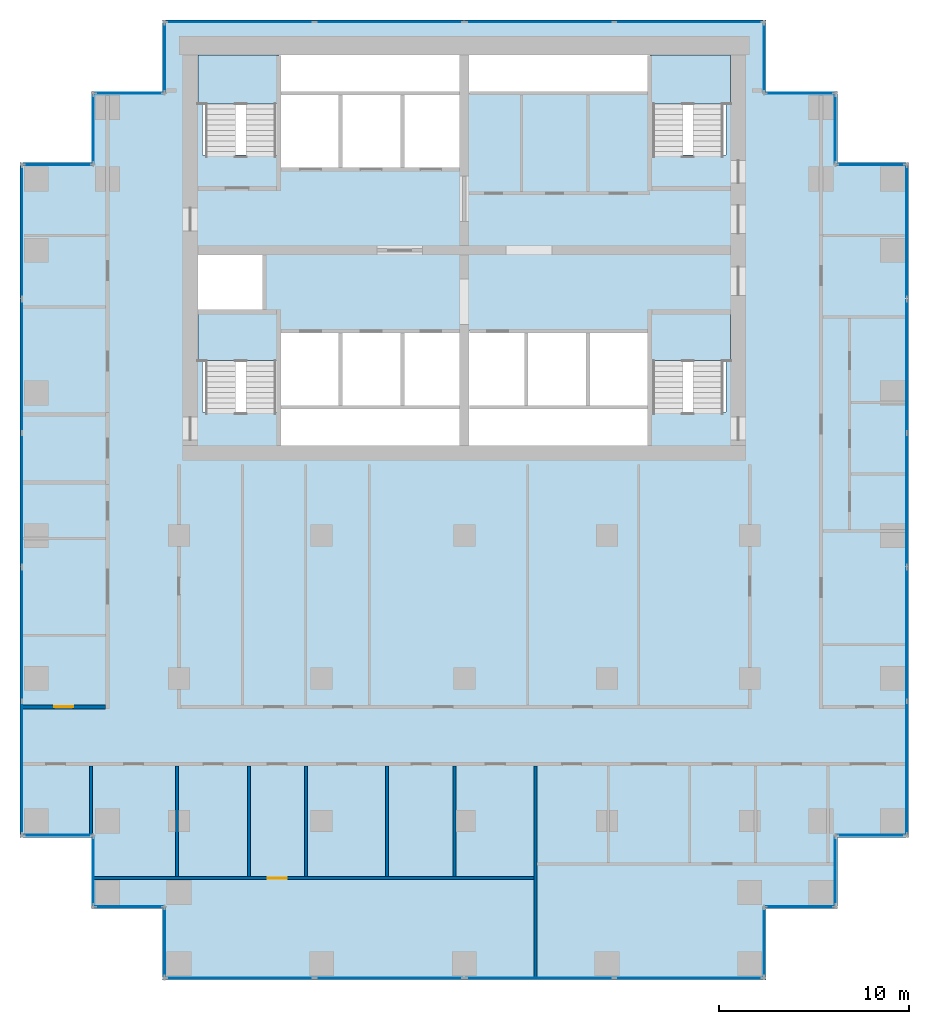
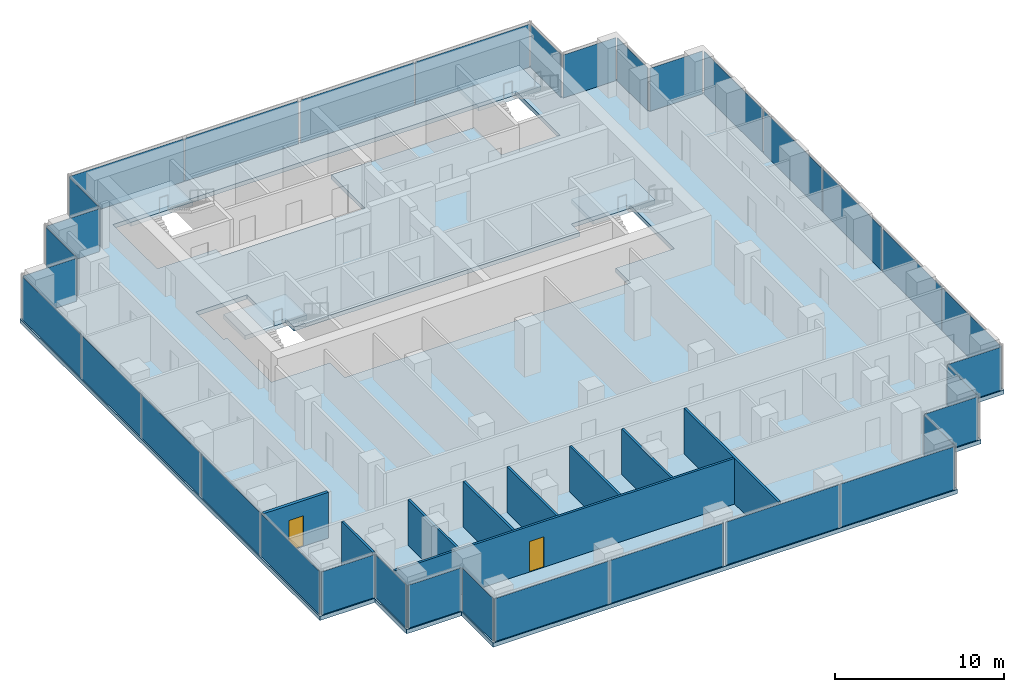
# One storey, part 6 of 11: 34 plates, 9 walls, 5 slabs, 2 doors, 2 openings, 30 elements without a shape of their own.
"""IFC4 building model written with IfcOpenShell, lengths in metres."""

from ifc_helpers import new_model, si_unit, direction, frame, frame_2d, origin, origin_2d, place, context, subcontext, project, spatial, polyline, rectangle, outline, extrude, material, layer, layer_set, type_object, element, fill, aggregate, save


model = new_model("IFC4")

# Units and contexts
model_context = context("Model", 3, precision=1e-05, world=origin(), true_north=direction((0.0, 1.0)))
body_context = subcontext(model_context, "Body", "Model", "MODEL_VIEW")
ifc_project = project(units=[si_unit("LENGTHUNIT", "METRE"), si_unit("AREAUNIT", "SQUARE_METRE"), si_unit("VOLUMEUNIT", "CUBIC_METRE"), si_unit("PLANEANGLEUNIT", "RADIAN"), si_unit("MASSUNIT", "GRAM", prefix="KILO")], contexts=[model_context])

# Site, building, storey
site_placement = place(None, origin())
site = spatial("IfcSite", under=ifc_project, at=site_placement, CompositionType="ELEMENT")
building_placement = place(site_placement, origin())
building = spatial("IfcBuilding", under=site, at=building_placement, Name="Pilkhan Gate Tower", CompositionType="ELEMENT")
storey_placement = place(building_placement, frame((0.0, 0.0, 125.199951171875)))
storey = spatial("IfcBuildingStorey", under=building, at=storey_placement, Name="L31", CompositionType="ELEMENT", Elevation=125.199951171875)

# Slab
ifc_material_1 = material(Name="Concrete C40/50", Category="concrete")
ifc_layer_1 = layer(ifc_material_1, 0.300048828125)
ifc_layer_set_1 = layer_set([ifc_layer_1], Name="Flat plate slab FP300")
slab_type_1 = type_object("IfcSlabType", Name="Flat plate slab FP300", PredefinedType="FLOOR", material=ifc_layer_set_1)
slab_1_placement = place(storey_placement, frame((0.0, 0.0, -0.300048828125)))
element("IfcSlab", 1, at=slab_1_placement, inside=storey, type_object=slab_type_1, Name="Floor slab L31", PredefinedType="FLOOR", context=body_context, shape_type="SweptSolid", body=[
    extrude(outline(polyline([(94.60009765625, 47.89990234375), (90.85009765625, 47.89990234375), (90.85009765625, 44.14990234375), (59.14990234375, 44.14990234375), (59.14990234375, 47.89990234375), (55.39990234375, 47.89990234375), (55.39990234375, 51.64990234375), (51.64990234375, 51.64990234375), (51.64990234375, 87.10009765625), (55.39990234375, 87.10009765625), (55.39990234375, 90.85009765625), (59.14990234375, 90.85009765625), (59.14990234375, 94.60009765625), (90.85009765625, 94.60009765625), (90.85009765625, 90.85009765625), (94.60009765625, 90.85009765625), (94.60009765625, 87.10009765625), (98.35009765625, 87.10009765625), (98.35009765625, 51.64990234375), (94.60009765625, 51.64990234375), (94.60009765625, 47.89990234375)]), holes=[polyline([(65.25, 87.5), (65.25, 86.75), (68.5, 86.75), (71.75, 86.75), (75.0, 86.75), (75.0, 90.75), (84.75, 90.75), (84.75, 87.5), (88.75, 87.5), (88.75, 92.75), (84.75, 92.75), (75.0, 92.75), (65.25, 92.75), (61.25, 92.75), (61.25, 87.5), (65.25, 87.5)]), polyline([(75.0, 72.25), (84.75, 72.25), (84.75, 74.0), (88.75, 74.0), (88.75, 79.25), (84.75, 79.25), (84.75, 78.25), (81.5, 78.25), (78.25, 78.25), (75.0, 78.25), (71.75, 78.25), (68.5, 78.25), (65.25, 78.25), (65.25, 79.25), (64.5, 79.25), (64.5, 82.5), (61.25, 82.5), (61.0, 82.5), (61.0, 79.25), (61.25, 79.25), (61.25, 74.0), (65.25, 74.0), (65.25, 72.25), (75.0, 72.25)])]), origin(), (0.0, 0.0, 1.0), 0.300048828125),
])

# Curtain wall, plates
ifc_material_2 = material(Name="Pale anodised aluminium, clear low-iron double glazing", Category="aluminium")
curtain_wall_type = type_object("IfcCurtainWallType", Name="Office unitised curtain wall CW-O1", PredefinedType="USERDEFINED", material=ifc_material_2)
curtain_wall_1_placement = place(storey_placement, origin())
curtain_wall_1 = element("IfcCurtainWall", 2, at=curtain_wall_1_placement, inside=storey, type_object=curtain_wall_type, Name="Office unitised curtain wall CW-O1 L31 E", ObjectType="UNITISED CURTAIN WALL", PredefinedType="USERDEFINED")
ifc_material_3 = material(Name="Clear low-iron double glazing", Category="glass")
ifc_layer_2 = layer(ifc_material_3, 0.0400390625)
ifc_layer_set_2 = layer_set([ifc_layer_2], Name="Glass panel CW-O1 40")
plate_type = type_object("IfcPlateType", Name="Glass panel CW-O1 40", PredefinedType="CURTAIN_PANEL", material=ifc_layer_set_2)
plate_1_placement = place(storey_placement, frame((98.25, 55.29248046875, 0.0), z_axis=(0.0, 0.0, 1.0), x_axis=(0.0, 1.0, 0.0)))
plate_1 = element("IfcPlate", 3, at=plate_1_placement, type_object=plate_type, Name="CW-O1 panel 1", PredefinedType="CURTAIN_PANEL", context=body_context, shape_type="SweptSolid", body=[
    extrude(rectangle(XDim=6.945068359375, YDim=0.0400390625, at=origin_2d()), origin(), (0.0, 0.0, 1.0), 3.10009765625),
])
plate_2_placement = place(storey_placement, frame((98.25, 62.3076171875, 0.0), z_axis=(0.0, 0.0, 1.0), x_axis=(0.0, 1.0, 0.0)))
plate_2 = element("IfcPlate", 4, at=plate_2_placement, type_object=plate_type, Name="CW-O1 panel 2", PredefinedType="CURTAIN_PANEL", context=body_context, shape_type="SweptSolid", body=[
    extrude(rectangle(XDim=6.945068359375, YDim=0.0400390625, at=origin_2d()), origin(), (0.0, 0.0, 1.0), 3.10009765625),
])
aggregate(curtain_wall_1, [plate_1, plate_2])

curtain_wall_2_placement = place(storey_placement, origin())
curtain_wall_2 = element("IfcCurtainWall", 5, at=curtain_wall_2_placement, inside=storey, type_object=curtain_wall_type, Name="Office unitised curtain wall CW-O1 L31 E", ObjectType="UNITISED CURTAIN WALL", PredefinedType="USERDEFINED")
plate_3_placement = place(storey_placement, frame((98.25, 69.392578125, 0.0), z_axis=(0.0, 0.0, 1.0), x_axis=(0.0, 1.0, 0.0)))
plate_3 = element("IfcPlate", 6, at=plate_3_placement, type_object=plate_type, Name="CW-O1 panel 1", PredefinedType="CURTAIN_PANEL", context=body_context, shape_type="SweptSolid", body=[
    extrude(rectangle(XDim=6.945068359375, YDim=0.0400390625, at=origin_2d()), origin(), (0.0, 0.0, 1.0), 3.10009765625),
])
plate_4_placement = place(storey_placement, frame((98.25, 76.407470703125, 0.0), z_axis=(0.0, 0.0, 1.0), x_axis=(0.0, 1.0, 0.0)))
plate_4 = element("IfcPlate", 7, at=plate_4_placement, type_object=plate_type, Name="CW-O1 panel 2", PredefinedType="CURTAIN_PANEL", context=body_context, shape_type="SweptSolid", body=[
    extrude(rectangle(XDim=6.945068359375, YDim=0.0400390625, at=origin_2d()), origin(), (0.0, 0.0, 1.0), 3.10009765625),
])
aggregate(curtain_wall_2, [plate_3, plate_4])

# Curtain wall, plate
curtain_wall_3_placement = place(storey_placement, origin())
curtain_wall_3 = element("IfcCurtainWall", 8, at=curtain_wall_3_placement, inside=storey, type_object=curtain_wall_type, Name="Office unitised curtain wall CW-O1 L31 E", ObjectType="UNITISED CURTAIN WALL", PredefinedType="USERDEFINED")
plate_5_placement = place(storey_placement, frame((98.25, 83.47509765625, 0.0), z_axis=(0.0, 0.0, 1.0), x_axis=(0.0, 1.0, 0.0)))
plate_5 = element("IfcPlate", 9, at=plate_5_placement, type_object=plate_type, Name="CW-O1 panel 1", PredefinedType="CURTAIN_PANEL", context=body_context, shape_type="SweptSolid", body=[
    extrude(rectangle(XDim=6.909912109375, YDim=0.0400390625, at=origin_2d()), origin(), (0.0, 0.0, 1.0), 3.10009765625),
])
aggregate(curtain_wall_3, [plate_5])

curtain_wall_4_placement = place(storey_placement, origin())
curtain_wall_4 = element("IfcCurtainWall", 10, at=curtain_wall_4_placement, inside=storey, type_object=curtain_wall_type, Name="Office unitised curtain wall CW-O1 L31 N", ObjectType="UNITISED CURTAIN WALL", PredefinedType="USERDEFINED")
plate_6_placement = place(storey_placement, frame((96.375, 87.0, 0.0), z_axis=(0.0, 0.0, 1.0), x_axis=(1.0, 0.0, 0.0)))
plate_6 = element("IfcPlate", 11, at=plate_6_placement, type_object=plate_type, Name="CW-O1 panel 1", PredefinedType="CURTAIN_PANEL", context=body_context, shape_type="SweptSolid", body=[
    extrude(rectangle(XDim=3.610107421875, YDim=0.0400390625, at=origin_2d()), origin(), (0.0, 0.0, 1.0), 3.10009765625),
])
aggregate(curtain_wall_4, [plate_6])

curtain_wall_5_placement = place(storey_placement, origin())
curtain_wall_5 = element("IfcCurtainWall", 12, at=curtain_wall_5_placement, inside=storey, type_object=curtain_wall_type, Name="Office unitised curtain wall CW-O1 L31 E", ObjectType="UNITISED CURTAIN WALL", PredefinedType="USERDEFINED")
plate_7_placement = place(storey_placement, frame((94.5, 88.875, 0.0), z_axis=(0.0, 0.0, 1.0), x_axis=(0.0, 1.0, 0.0)))
plate_7 = element("IfcPlate", 13, at=plate_7_placement, type_object=plate_type, Name="CW-O1 panel 1", PredefinedType="CURTAIN_PANEL", context=body_context, shape_type="SweptSolid", body=[
    extrude(rectangle(XDim=3.610107421875, YDim=0.0400390625, at=origin_2d()), origin(), (0.0, 0.0, 1.0), 3.10009765625),
])
aggregate(curtain_wall_5, [plate_7])

curtain_wall_6_placement = place(storey_placement, origin())
curtain_wall_6 = element("IfcCurtainWall", 14, at=curtain_wall_6_placement, inside=storey, type_object=curtain_wall_type, Name="Office unitised curtain wall CW-O1 L31 N", ObjectType="UNITISED CURTAIN WALL", PredefinedType="USERDEFINED")
plate_8_placement = place(storey_placement, frame((92.625, 90.75, 0.0), z_axis=(0.0, 0.0, 1.0), x_axis=(1.0, 0.0, 0.0)))
plate_8 = element("IfcPlate", 15, at=plate_8_placement, type_object=plate_type, Name="CW-O1 panel 1", PredefinedType="CURTAIN_PANEL", context=body_context, shape_type="SweptSolid", body=[
    extrude(rectangle(XDim=3.610107421875, YDim=0.0400390625, at=origin_2d()), origin(), (0.0, 0.0, 1.0), 3.10009765625),
])
aggregate(curtain_wall_6, [plate_8])

curtain_wall_7_placement = place(storey_placement, origin())
curtain_wall_7 = element("IfcCurtainWall", 16, at=curtain_wall_7_placement, inside=storey, type_object=curtain_wall_type, Name="Office unitised curtain wall CW-O1 L31 E", ObjectType="UNITISED CURTAIN WALL", PredefinedType="USERDEFINED")
plate_9_placement = place(storey_placement, frame((90.75, 92.625, 0.0), z_axis=(0.0, 0.0, 1.0), x_axis=(0.0, 1.0, 0.0)))
plate_9 = element("IfcPlate", 17, at=plate_9_placement, type_object=plate_type, Name="CW-O1 panel 1", PredefinedType="CURTAIN_PANEL", context=body_context, shape_type="SweptSolid", body=[
    extrude(rectangle(XDim=3.610107421875, YDim=0.0400390625, at=origin_2d()), origin(), (0.0, 0.0, 1.0), 3.10009765625),
])
aggregate(curtain_wall_7, [plate_9])

# Curtain wall, plates
curtain_wall_8_placement = place(storey_placement, origin())
curtain_wall_8 = element("IfcCurtainWall", 18, at=curtain_wall_8_placement, inside=storey, type_object=curtain_wall_type, Name="Office unitised curtain wall CW-O1 L31 N", ObjectType="UNITISED CURTAIN WALL", PredefinedType="USERDEFINED")
plate_10_placement = place(storey_placement, frame((63.205078125, 94.5, 0.0), z_axis=(0.0, 0.0, 1.0), x_axis=(1.0, 0.0, 0.0)))
plate_10 = element("IfcPlate", 19, at=plate_10_placement, type_object=plate_type, Name="CW-O1 panel 1", PredefinedType="CURTAIN_PANEL", context=body_context, shape_type="SweptSolid", body=[
    extrude(rectangle(XDim=7.77001953125, YDim=0.0400390625, at=origin_2d()), origin(), (0.0, 0.0, 1.0), 3.10009765625),
])
plate_11_placement = place(storey_placement, frame((71.044921875, 94.5, 0.0), z_axis=(0.0, 0.0, 1.0), x_axis=(1.0, 0.0, 0.0)))
plate_11 = element("IfcPlate", 20, at=plate_11_placement, type_object=plate_type, Name="CW-O1 panel 2", PredefinedType="CURTAIN_PANEL", context=body_context, shape_type="SweptSolid", body=[
    extrude(rectangle(XDim=7.77001953125, YDim=0.0400390625, at=origin_2d()), origin(), (0.0, 0.0, 1.0), 3.10009765625),
])
aggregate(curtain_wall_8, [plate_10, plate_11])

curtain_wall_9_placement = place(storey_placement, origin())
curtain_wall_9 = element("IfcCurtainWall", 21, at=curtain_wall_9_placement, inside=storey, type_object=curtain_wall_type, Name="Office unitised curtain wall CW-O1 L31 N", ObjectType="UNITISED CURTAIN WALL", PredefinedType="USERDEFINED")
plate_12_placement = place(storey_placement, frame((78.955078125, 94.5, 0.0), z_axis=(0.0, 0.0, 1.0), x_axis=(1.0, 0.0, 0.0)))
plate_12 = element("IfcPlate", 22, at=plate_12_placement, type_object=plate_type, Name="CW-O1 panel 1", PredefinedType="CURTAIN_PANEL", context=body_context, shape_type="SweptSolid", body=[
    extrude(rectangle(XDim=7.77001953125, YDim=0.0400390625, at=origin_2d()), origin(), (0.0, 0.0, 1.0), 3.10009765625),
])
plate_13_placement = place(storey_placement, frame((86.794921875, 94.5, 0.0), z_axis=(0.0, 0.0, 1.0), x_axis=(1.0, 0.0, 0.0)))
plate_13 = element("IfcPlate", 23, at=plate_13_placement, type_object=plate_type, Name="CW-O1 panel 2", PredefinedType="CURTAIN_PANEL", context=body_context, shape_type="SweptSolid", body=[
    extrude(rectangle(XDim=7.77001953125, YDim=0.0400390625, at=origin_2d()), origin(), (0.0, 0.0, 1.0), 3.10009765625),
])
aggregate(curtain_wall_9, [plate_12, plate_13])

# Curtain wall, plate
curtain_wall_10_placement = place(storey_placement, origin())
curtain_wall_10 = element("IfcCurtainWall", 24, at=curtain_wall_10_placement, inside=storey, type_object=curtain_wall_type, Name="Office unitised curtain wall CW-O1 L31 W", ObjectType="UNITISED CURTAIN WALL", PredefinedType="USERDEFINED")
plate_14_placement = place(storey_placement, frame((59.25, 92.625, 0.0), z_axis=(0.0, 0.0, 1.0), x_axis=(0.0, 1.0, 0.0)))
plate_14 = element("IfcPlate", 25, at=plate_14_placement, type_object=plate_type, Name="CW-O1 panel 1", PredefinedType="CURTAIN_PANEL", context=body_context, shape_type="SweptSolid", body=[
    extrude(rectangle(XDim=3.610107421875, YDim=0.0400390625, at=origin_2d()), origin(), (0.0, 0.0, 1.0), 3.10009765625),
])
aggregate(curtain_wall_10, [plate_14])

curtain_wall_11_placement = place(storey_placement, origin())
curtain_wall_11 = element("IfcCurtainWall", 26, at=curtain_wall_11_placement, inside=storey, type_object=curtain_wall_type, Name="Office unitised curtain wall CW-O1 L31 N", ObjectType="UNITISED CURTAIN WALL", PredefinedType="USERDEFINED")
plate_15_placement = place(storey_placement, frame((57.375, 90.75, 0.0), z_axis=(0.0, 0.0, 1.0), x_axis=(1.0, 0.0, 0.0)))
plate_15 = element("IfcPlate", 27, at=plate_15_placement, type_object=plate_type, Name="CW-O1 panel 1", PredefinedType="CURTAIN_PANEL", context=body_context, shape_type="SweptSolid", body=[
    extrude(rectangle(XDim=3.610107421875, YDim=0.0400390625, at=origin_2d()), origin(), (0.0, 0.0, 1.0), 3.10009765625),
])
aggregate(curtain_wall_11, [plate_15])

curtain_wall_12_placement = place(storey_placement, origin())
curtain_wall_12 = element("IfcCurtainWall", 28, at=curtain_wall_12_placement, inside=storey, type_object=curtain_wall_type, Name="Office unitised curtain wall CW-O1 L31 W", ObjectType="UNITISED CURTAIN WALL", PredefinedType="USERDEFINED")
plate_16_placement = place(storey_placement, frame((55.5, 88.875, 0.0), z_axis=(0.0, 0.0, 1.0), x_axis=(0.0, 1.0, 0.0)))
plate_16 = element("IfcPlate", 29, at=plate_16_placement, type_object=plate_type, Name="CW-O1 panel 1", PredefinedType="CURTAIN_PANEL", context=body_context, shape_type="SweptSolid", body=[
    extrude(rectangle(XDim=3.610107421875, YDim=0.0400390625, at=origin_2d()), origin(), (0.0, 0.0, 1.0), 3.10009765625),
])
aggregate(curtain_wall_12, [plate_16])

curtain_wall_13_placement = place(storey_placement, origin())
curtain_wall_13 = element("IfcCurtainWall", 30, at=curtain_wall_13_placement, inside=storey, type_object=curtain_wall_type, Name="Office unitised curtain wall CW-O1 L31 N", ObjectType="UNITISED CURTAIN WALL", PredefinedType="USERDEFINED")
plate_17_placement = place(storey_placement, frame((53.625, 87.0, 0.0), z_axis=(0.0, 0.0, 1.0), x_axis=(1.0, 0.0, 0.0)))
plate_17 = element("IfcPlate", 31, at=plate_17_placement, type_object=plate_type, Name="CW-O1 panel 1", PredefinedType="CURTAIN_PANEL", context=body_context, shape_type="SweptSolid", body=[
    extrude(rectangle(XDim=3.610107421875, YDim=0.0400390625, at=origin_2d()), origin(), (0.0, 0.0, 1.0), 3.10009765625),
])
aggregate(curtain_wall_13, [plate_17])

# Curtain wall, plates
curtain_wall_14_placement = place(storey_placement, origin())
curtain_wall_14 = element("IfcCurtainWall", 32, at=curtain_wall_14_placement, inside=storey, type_object=curtain_wall_type, Name="Office unitised curtain wall CW-O1 L31 W", ObjectType="UNITISED CURTAIN WALL", PredefinedType="USERDEFINED")
plate_18_placement = place(storey_placement, frame((51.75, 55.29248046875, 0.0), z_axis=(0.0, 0.0, 1.0), x_axis=(0.0, 1.0, 0.0)))
plate_18 = element("IfcPlate", 33, at=plate_18_placement, type_object=plate_type, Name="CW-O1 panel 1", PredefinedType="CURTAIN_PANEL", context=body_context, shape_type="SweptSolid", body=[
    extrude(rectangle(XDim=6.945068359375, YDim=0.0400390625, at=origin_2d()), origin(), (0.0, 0.0, 1.0), 3.10009765625),
])
plate_19_placement = place(storey_placement, frame((51.75, 62.3076171875, 0.0), z_axis=(0.0, 0.0, 1.0), x_axis=(0.0, 1.0, 0.0)))
plate_19 = element("IfcPlate", 34, at=plate_19_placement, type_object=plate_type, Name="CW-O1 panel 2", PredefinedType="CURTAIN_PANEL", context=body_context, shape_type="SweptSolid", body=[
    extrude(rectangle(XDim=6.945068359375, YDim=0.0400390625, at=origin_2d()), origin(), (0.0, 0.0, 1.0), 3.10009765625),
])
aggregate(curtain_wall_14, [plate_18, plate_19])

curtain_wall_15_placement = place(storey_placement, origin())
curtain_wall_15 = element("IfcCurtainWall", 35, at=curtain_wall_15_placement, inside=storey, type_object=curtain_wall_type, Name="Office unitised curtain wall CW-O1 L31 W", ObjectType="UNITISED CURTAIN WALL", PredefinedType="USERDEFINED")
plate_20_placement = place(storey_placement, frame((51.75, 69.392578125, 0.0), z_axis=(0.0, 0.0, 1.0), x_axis=(0.0, 1.0, 0.0)))
plate_20 = element("IfcPlate", 36, at=plate_20_placement, type_object=plate_type, Name="CW-O1 panel 1", PredefinedType="CURTAIN_PANEL", context=body_context, shape_type="SweptSolid", body=[
    extrude(rectangle(XDim=6.945068359375, YDim=0.0400390625, at=origin_2d()), origin(), (0.0, 0.0, 1.0), 3.10009765625),
])
plate_21_placement = place(storey_placement, frame((51.75, 76.407470703125, 0.0), z_axis=(0.0, 0.0, 1.0), x_axis=(0.0, 1.0, 0.0)))
plate_21 = element("IfcPlate", 37, at=plate_21_placement, type_object=plate_type, Name="CW-O1 panel 2", PredefinedType="CURTAIN_PANEL", context=body_context, shape_type="SweptSolid", body=[
    extrude(rectangle(XDim=6.945068359375, YDim=0.0400390625, at=origin_2d()), origin(), (0.0, 0.0, 1.0), 3.10009765625),
])
aggregate(curtain_wall_15, [plate_20, plate_21])

# Curtain wall, plate
curtain_wall_16_placement = place(storey_placement, origin())
curtain_wall_16 = element("IfcCurtainWall", 38, at=curtain_wall_16_placement, inside=storey, type_object=curtain_wall_type, Name="Office unitised curtain wall CW-O1 L31 W", ObjectType="UNITISED CURTAIN WALL", PredefinedType="USERDEFINED")
plate_22_placement = place(storey_placement, frame((51.75, 83.47509765625, 0.0), z_axis=(0.0, 0.0, 1.0), x_axis=(0.0, 1.0, 0.0)))
plate_22 = element("IfcPlate", 39, at=plate_22_placement, type_object=plate_type, Name="CW-O1 panel 1", PredefinedType="CURTAIN_PANEL", context=body_context, shape_type="SweptSolid", body=[
    extrude(rectangle(XDim=6.909912109375, YDim=0.0400390625, at=origin_2d()), origin(), (0.0, 0.0, 1.0), 3.10009765625),
])
aggregate(curtain_wall_16, [plate_22])

curtain_wall_17_placement = place(storey_placement, origin())
curtain_wall_17 = element("IfcCurtainWall", 40, at=curtain_wall_17_placement, inside=storey, type_object=curtain_wall_type, Name="Office unitised curtain wall CW-O1 L31 S", ObjectType="UNITISED CURTAIN WALL", PredefinedType="USERDEFINED")
plate_23_placement = place(storey_placement, frame((53.625, 51.75, 0.0), z_axis=(0.0, 0.0, 1.0), x_axis=(1.0, 0.0, 0.0)))
plate_23 = element("IfcPlate", 41, at=plate_23_placement, type_object=plate_type, Name="CW-O1 panel 1", PredefinedType="CURTAIN_PANEL", context=body_context, shape_type="SweptSolid", body=[
    extrude(rectangle(XDim=3.610107421875, YDim=0.0400390625, at=origin_2d()), origin(), (0.0, 0.0, 1.0), 3.10009765625),
])
aggregate(curtain_wall_17, [plate_23])

curtain_wall_18_placement = place(storey_placement, origin())
curtain_wall_18 = element("IfcCurtainWall", 42, at=curtain_wall_18_placement, inside=storey, type_object=curtain_wall_type, Name="Office unitised curtain wall CW-O1 L31 W", ObjectType="UNITISED CURTAIN WALL", PredefinedType="USERDEFINED")
plate_24_placement = place(storey_placement, frame((55.5, 49.875, 0.0), z_axis=(0.0, 0.0, 1.0), x_axis=(0.0, 1.0, 0.0)))
plate_24 = element("IfcPlate", 43, at=plate_24_placement, type_object=plate_type, Name="CW-O1 panel 1", PredefinedType="CURTAIN_PANEL", context=body_context, shape_type="SweptSolid", body=[
    extrude(rectangle(XDim=3.610107421875, YDim=0.0400390625, at=origin_2d()), origin(), (0.0, 0.0, 1.0), 3.10009765625),
])
aggregate(curtain_wall_18, [plate_24])

curtain_wall_19_placement = place(storey_placement, origin())
curtain_wall_19 = element("IfcCurtainWall", 44, at=curtain_wall_19_placement, inside=storey, type_object=curtain_wall_type, Name="Office unitised curtain wall CW-O1 L31 S", ObjectType="UNITISED CURTAIN WALL", PredefinedType="USERDEFINED")
plate_25_placement = place(storey_placement, frame((57.375, 48.0, 0.0), z_axis=(0.0, 0.0, 1.0), x_axis=(1.0, 0.0, 0.0)))
plate_25 = element("IfcPlate", 45, at=plate_25_placement, type_object=plate_type, Name="CW-O1 panel 1", PredefinedType="CURTAIN_PANEL", context=body_context, shape_type="SweptSolid", body=[
    extrude(rectangle(XDim=3.610107421875, YDim=0.0400390625, at=origin_2d()), origin(), (0.0, 0.0, 1.0), 3.10009765625),
])
aggregate(curtain_wall_19, [plate_25])

curtain_wall_20_placement = place(storey_placement, origin())
curtain_wall_20 = element("IfcCurtainWall", 46, at=curtain_wall_20_placement, inside=storey, type_object=curtain_wall_type, Name="Office unitised curtain wall CW-O1 L31 W", ObjectType="UNITISED CURTAIN WALL", PredefinedType="USERDEFINED")
plate_26_placement = place(storey_placement, frame((59.25, 46.125, 0.0), z_axis=(0.0, 0.0, 1.0), x_axis=(0.0, 1.0, 0.0)))
plate_26 = element("IfcPlate", 47, at=plate_26_placement, type_object=plate_type, Name="CW-O1 panel 1", PredefinedType="CURTAIN_PANEL", context=body_context, shape_type="SweptSolid", body=[
    extrude(rectangle(XDim=3.610107421875, YDim=0.0400390625, at=origin_2d()), origin(), (0.0, 0.0, 1.0), 3.10009765625),
])
aggregate(curtain_wall_20, [plate_26])

# Curtain wall, plates
curtain_wall_21_placement = place(storey_placement, origin())
curtain_wall_21 = element("IfcCurtainWall", 48, at=curtain_wall_21_placement, inside=storey, type_object=curtain_wall_type, Name="Office unitised curtain wall CW-O1 L31 S", ObjectType="UNITISED CURTAIN WALL", PredefinedType="USERDEFINED")
plate_27_placement = place(storey_placement, frame((63.205078125, 44.25, 0.0), z_axis=(0.0, 0.0, 1.0), x_axis=(1.0, 0.0, 0.0)))
plate_27 = element("IfcPlate", 49, at=plate_27_placement, type_object=plate_type, Name="CW-O1 panel 1", PredefinedType="CURTAIN_PANEL", context=body_context, shape_type="SweptSolid", body=[
    extrude(rectangle(XDim=7.77001953125, YDim=0.0400390625, at=origin_2d()), origin(), (0.0, 0.0, 1.0), 3.10009765625),
])
plate_28_placement = place(storey_placement, frame((71.044921875, 44.25, 0.0), z_axis=(0.0, 0.0, 1.0), x_axis=(1.0, 0.0, 0.0)))
plate_28 = element("IfcPlate", 50, at=plate_28_placement, type_object=plate_type, Name="CW-O1 panel 2", PredefinedType="CURTAIN_PANEL", context=body_context, shape_type="SweptSolid", body=[
    extrude(rectangle(XDim=7.77001953125, YDim=0.0400390625, at=origin_2d()), origin(), (0.0, 0.0, 1.0), 3.10009765625),
])
aggregate(curtain_wall_21, [plate_27, plate_28])

curtain_wall_22_placement = place(storey_placement, origin())
curtain_wall_22 = element("IfcCurtainWall", 51, at=curtain_wall_22_placement, inside=storey, type_object=curtain_wall_type, Name="Office unitised curtain wall CW-O1 L31 S", ObjectType="UNITISED CURTAIN WALL", PredefinedType="USERDEFINED")
plate_29_placement = place(storey_placement, frame((78.955078125, 44.25, 0.0), z_axis=(0.0, 0.0, 1.0), x_axis=(1.0, 0.0, 0.0)))
plate_29 = element("IfcPlate", 52, at=plate_29_placement, type_object=plate_type, Name="CW-O1 panel 1", PredefinedType="CURTAIN_PANEL", context=body_context, shape_type="SweptSolid", body=[
    extrude(rectangle(XDim=7.77001953125, YDim=0.0400390625, at=origin_2d()), origin(), (0.0, 0.0, 1.0), 3.10009765625),
])
plate_30_placement = place(storey_placement, frame((86.794921875, 44.25, 0.0), z_axis=(0.0, 0.0, 1.0), x_axis=(1.0, 0.0, 0.0)))
plate_30 = element("IfcPlate", 53, at=plate_30_placement, type_object=plate_type, Name="CW-O1 panel 2", PredefinedType="CURTAIN_PANEL", context=body_context, shape_type="SweptSolid", body=[
    extrude(rectangle(XDim=7.77001953125, YDim=0.0400390625, at=origin_2d()), origin(), (0.0, 0.0, 1.0), 3.10009765625),
])
aggregate(curtain_wall_22, [plate_29, plate_30])

# Curtain wall, plate
curtain_wall_23_placement = place(storey_placement, origin())
curtain_wall_23 = element("IfcCurtainWall", 54, at=curtain_wall_23_placement, inside=storey, type_object=curtain_wall_type, Name="Office unitised curtain wall CW-O1 L31 E", ObjectType="UNITISED CURTAIN WALL", PredefinedType="USERDEFINED")
plate_31_placement = place(storey_placement, frame((90.75, 46.125, 0.0), z_axis=(0.0, 0.0, 1.0), x_axis=(0.0, 1.0, 0.0)))
plate_31 = element("IfcPlate", 55, at=plate_31_placement, type_object=plate_type, Name="CW-O1 panel 1", PredefinedType="CURTAIN_PANEL", context=body_context, shape_type="SweptSolid", body=[
    extrude(rectangle(XDim=3.610107421875, YDim=0.0400390625, at=origin_2d()), origin(), (0.0, 0.0, 1.0), 3.10009765625),
])
aggregate(curtain_wall_23, [plate_31])

curtain_wall_24_placement = place(storey_placement, origin())
curtain_wall_24 = element("IfcCurtainWall", 56, at=curtain_wall_24_placement, inside=storey, type_object=curtain_wall_type, Name="Office unitised curtain wall CW-O1 L31 S", ObjectType="UNITISED CURTAIN WALL", PredefinedType="USERDEFINED")
plate_32_placement = place(storey_placement, frame((92.625, 48.0, 0.0), z_axis=(0.0, 0.0, 1.0), x_axis=(1.0, 0.0, 0.0)))
plate_32 = element("IfcPlate", 57, at=plate_32_placement, type_object=plate_type, Name="CW-O1 panel 1", PredefinedType="CURTAIN_PANEL", context=body_context, shape_type="SweptSolid", body=[
    extrude(rectangle(XDim=3.610107421875, YDim=0.0400390625, at=origin_2d()), origin(), (0.0, 0.0, 1.0), 3.10009765625),
])
aggregate(curtain_wall_24, [plate_32])

curtain_wall_25_placement = place(storey_placement, origin())
curtain_wall_25 = element("IfcCurtainWall", 58, at=curtain_wall_25_placement, inside=storey, type_object=curtain_wall_type, Name="Office unitised curtain wall CW-O1 L31 E", ObjectType="UNITISED CURTAIN WALL", PredefinedType="USERDEFINED")
plate_33_placement = place(storey_placement, frame((94.5, 49.875, 0.0), z_axis=(0.0, 0.0, 1.0), x_axis=(0.0, 1.0, 0.0)))
plate_33 = element("IfcPlate", 59, at=plate_33_placement, type_object=plate_type, Name="CW-O1 panel 1", PredefinedType="CURTAIN_PANEL", context=body_context, shape_type="SweptSolid", body=[
    extrude(rectangle(XDim=3.610107421875, YDim=0.0400390625, at=origin_2d()), origin(), (0.0, 0.0, 1.0), 3.10009765625),
])
aggregate(curtain_wall_25, [plate_33])

curtain_wall_26_placement = place(storey_placement, origin())
curtain_wall_26 = element("IfcCurtainWall", 60, at=curtain_wall_26_placement, inside=storey, type_object=curtain_wall_type, Name="Office unitised curtain wall CW-O1 L31 S", ObjectType="UNITISED CURTAIN WALL", PredefinedType="USERDEFINED")
plate_34_placement = place(storey_placement, frame((96.375, 51.75, 0.0), z_axis=(0.0, 0.0, 1.0), x_axis=(1.0, 0.0, 0.0)))
plate_34 = element("IfcPlate", 61, at=plate_34_placement, type_object=plate_type, Name="CW-O1 panel 1", PredefinedType="CURTAIN_PANEL", context=body_context, shape_type="SweptSolid", body=[
    extrude(rectangle(XDim=3.610107421875, YDim=0.0400390625, at=origin_2d()), origin(), (0.0, 0.0, 1.0), 3.10009765625),
])
aggregate(curtain_wall_26, [plate_34])

# Stair, slab
ifc_material_4 = material(Name="Concrete C40/50 precast", Category="concrete")
stair_type_1 = type_object("IfcStairType", Name="Stair ST1 164x280", PredefinedType="HALF_TURN_STAIR", material=ifc_material_4)
stair_1_placement = place(storey_placement, origin())
stair_1 = element("IfcStair", 62, at=stair_1_placement, inside=storey, type_object=stair_type_1, Name="Stair ST1 L31", PredefinedType="HALF_TURN_STAIR")
ifc_layer_3 = layer(ifc_material_1, 0.199951171875)
ifc_layer_set_3 = layer_set([ifc_layer_3], Name="Stair landing SL200")
slab_type_2 = type_object("IfcSlabType", Name="Stair landing SL200", PredefinedType="LANDING", material=ifc_layer_set_3)
slab_2_placement = place(storey_placement, frame((0.0, 0.0, 1.5)))
slab_2 = element("IfcSlab", 63, at=slab_2_placement, type_object=slab_type_2, Name="ST1 landing 1", PredefinedType="LANDING", context=body_context, shape_type="SweptSolid", body=[
    extrude(outline(polyline([(89.0, 76.699951171875), (89.0, 79.25), (84.75, 79.25), (84.75, 76.699951171875), (89.0, 76.699951171875)])), origin(), (0.0, 0.0, 1.0), 0.300048828125),
])
aggregate(stair_1, [slab_2])

stair_type_2 = type_object("IfcStairType", Name="Stair ST2 164x280", PredefinedType="HALF_TURN_STAIR", material=ifc_material_4)
stair_2_placement = place(storey_placement, origin())
stair_2 = element("IfcStair", 64, at=stair_2_placement, inside=storey, type_object=stair_type_2, Name="Stair ST2 L31", PredefinedType="HALF_TURN_STAIR")
slab_3_placement = place(storey_placement, frame((0.0, 0.0, 1.5)))
slab_3 = element("IfcSlab", 65, at=slab_3_placement, type_object=slab_type_2, Name="ST2 landing 1", PredefinedType="LANDING", context=body_context, shape_type="SweptSolid", body=[
    extrude(outline(polyline([(65.25, 76.699951171875), (65.25, 79.25), (61.0, 79.25), (61.0, 76.699951171875), (65.25, 76.699951171875)])), origin(), (0.0, 0.0, 1.0), 0.300048828125),
])
aggregate(stair_2, [slab_3])

stair_type_3 = type_object("IfcStairType", Name="Stair ST3 164x280", PredefinedType="HALF_TURN_STAIR", material=ifc_material_4)
stair_3_placement = place(storey_placement, origin())
stair_3 = element("IfcStair", 66, at=stair_3_placement, inside=storey, type_object=stair_type_3, Name="Stair ST3 L31", PredefinedType="HALF_TURN_STAIR")
slab_4_placement = place(storey_placement, frame((0.0, 0.0, 1.5)))
slab_4 = element("IfcSlab", 67, at=slab_4_placement, type_object=slab_type_2, Name="ST3 landing 1", PredefinedType="LANDING", context=body_context, shape_type="SweptSolid", body=[
    extrude(outline(polyline([(65.25, 90.199951171875), (65.25, 92.75), (61.0, 92.75), (61.0, 90.199951171875), (65.25, 90.199951171875)])), origin(), (0.0, 0.0, 1.0), 0.300048828125),
])
aggregate(stair_3, [slab_4])

stair_type_4 = type_object("IfcStairType", Name="Stair ST4 164x280", PredefinedType="HALF_TURN_STAIR", material=ifc_material_4)
stair_4_placement = place(storey_placement, origin())
stair_4 = element("IfcStair", 68, at=stair_4_placement, inside=storey, type_object=stair_type_4, Name="Stair ST4 L31", PredefinedType="HALF_TURN_STAIR")
slab_5_placement = place(storey_placement, frame((0.0, 0.0, 1.5)))
slab_5 = element("IfcSlab", 69, at=slab_5_placement, type_object=slab_type_2, Name="ST4 landing 1", PredefinedType="LANDING", context=body_context, shape_type="SweptSolid", body=[
    extrude(outline(polyline([(89.0, 90.199951171875), (89.0, 92.75), (84.75, 92.75), (84.75, 90.199951171875), (89.0, 90.199951171875)])), origin(), (0.0, 0.0, 1.0), 0.300048828125),
])
aggregate(stair_4, [slab_5])

# Wall, opening, door
ifc_material_5 = material(Name="Dense blockwork", Category="masonry")
ifc_layer_4 = layer(ifc_material_5, 0.199951171875)
ifc_layer_set_4 = layer_set([ifc_layer_4], Name="Corridor wall FW200")
wall_type_1 = type_object("IfcWallType", Name="Corridor wall FW200", PredefinedType="PARTITIONING", material=ifc_layer_set_4)
wall_1_placement = place(storey_placement, frame((51.735107421875, 58.5, 0.0), z_axis=(0.0, 0.0, 1.0), x_axis=(1.0, 0.0, 0.0)))
wall_1 = element("IfcWall", 70, at=wall_1_placement, inside=storey, type_object=wall_type_1, Name="Partition L31", PredefinedType="PARTITIONING", context=body_context, shape_type="SweptSolid", body=[
    extrude(rectangle(XDim=4.414794921875, YDim=0.199951171875, at=frame_2d((2.20751953125, 0.0))), origin(), (0.0, 0.0, 1.0), 3.300048828125),
])
opening_1_placement = place(wall_1_placement, frame((1.699951171875, 0.0, 0.0)))
opening_1 = element("IfcOpeningElement", 71, at=opening_1_placement, cuts=wall_1, Name="Opening L31-28", PredefinedType="OPENING", context=body_context, shape_type="SweptSolid", body=[
    extrude(rectangle(XDim=1.0, YDim=2.199951171875, at=frame_2d((0.5, 1.10009765625))), frame((0.0, 0.10986328125, 0.0), z_axis=(0.0, -1.0, 0.0), x_axis=(1.0, 0.0, 0.0)), (0.0, 0.0, 1.0), 0.219970703125),
])
ifc_material_6 = material(Name="Timber flush door, 30 minute fire resisting", Category="wood")
door_type = type_object("IfcDoorType", Name="Room door D03 1000x2200", OperationType="SINGLE_SWING_LEFT", PredefinedType="DOOR", material=ifc_material_6)
door_1_placement = place(opening_1_placement, origin())
door_1 = element("IfcDoor", 72, at=door_1_placement, inside=storey, type_object=door_type, Name="Room door", OperationType="SINGLE_SWING_RIGHT", OverallHeight=2.199951171875, OverallWidth=1.0, PredefinedType="DOOR", context=body_context, shape_type="SweptSolid", body=[
    extrude(rectangle(XDim=1.0, YDim=2.199951171875, at=frame_2d((0.5, 1.10009765625))), frame((0.0, 0.02490234375, 0.0), z_axis=(0.0, -1.0, 0.0), x_axis=(1.0, 0.0, 0.0)), (0.0, 0.0, 1.0), 0.050048828125),
])
fill(opening_1, door_1)

ifc_material_7 = material(Name="Blockwork partition, plastered both sides", Category="masonry")
ifc_layer_5 = layer(ifc_material_7, 0.14990234375)
ifc_layer_set_5 = layer_set([ifc_layer_5], Name="Partition PW150")
wall_type_2 = type_object("IfcWallType", Name="Partition PW150", PredefinedType="PARTITIONING", material=ifc_layer_set_5)
wall_2_placement = place(storey_placement, frame((55.485107421875, 49.5, 0.0), z_axis=(0.0, 0.0, 1.0), x_axis=(1.0, 0.0, 0.0)))
wall_2 = element("IfcWall", 73, at=wall_2_placement, inside=storey, type_object=wall_type_2, Name="Partition L31", PredefinedType="PARTITIONING", context=body_context, shape_type="SweptSolid", body=[
    extrude(rectangle(XDim=23.18994140625, YDim=0.14990234375, at=frame_2d((11.594970703125, 0.0))), origin(), (0.0, 0.0, 1.0), 3.300048828125),
])
opening_2_placement = place(wall_2_placement, frame((9.18994140625, 0.0, 0.0)))
opening_2 = element("IfcOpeningElement", 74, at=opening_2_placement, cuts=wall_2, Name="Opening L31-22", PredefinedType="OPENING", context=body_context, shape_type="SweptSolid", body=[
    extrude(rectangle(XDim=1.0, YDim=2.199951171875, at=frame_2d((0.5, 1.10009765625))), frame((0.0, 0.0849609375, 0.0), z_axis=(0.0, -1.0, 0.0), x_axis=(1.0, 0.0, 0.0)), (0.0, 0.0, 1.0), 0.169921875),
])
door_2_placement = place(opening_2_placement, origin())
door_2 = element("IfcDoor", 75, at=door_2_placement, inside=storey, type_object=door_type, Name="Room door", OperationType="SINGLE_SWING_LEFT", OverallHeight=2.199951171875, OverallWidth=1.0, PredefinedType="DOOR", context=body_context, shape_type="SweptSolid", body=[
    extrude(rectangle(XDim=1.0, YDim=2.199951171875, at=frame_2d((0.5, 1.10009765625))), frame((0.0, 0.02490234375, 0.0), z_axis=(0.0, -1.0, 0.0), x_axis=(1.0, 0.0, 0.0)), (0.0, 0.0, 1.0), 0.050048828125),
])
fill(opening_2, door_2)

# Walls
wall_3_placement = place(storey_placement, frame((55.373046875, 51.735107421875, 0.0), z_axis=(0.0, 0.0, 1.0), x_axis=(0.0, 1.0, 0.0)))
element("IfcWall", 76, at=wall_3_placement, inside=storey, type_object=wall_type_2, Name="Partition L31", PredefinedType="PARTITIONING", context=body_context, shape_type="SweptSolid", body=[
    extrude(rectangle(XDim=3.664794921875, YDim=0.14990234375, at=frame_2d((1.83251953125, 0.0))), origin(), (0.0, 0.0, 1.0), 3.300048828125),
])
for number, where, z_axis, x_axis, name in (
    (77, (59.902099609375, 49.574951171875, 0.0), (0.0, 0.0, 1.0), (0.0, 1.0, 0.0), "Partition L31"),
    (78, (63.675048828125, 49.574951171875, 0.0), (0.0, 0.0, 1.0), (0.0, 1.0, 0.0), "Partition L31"),
    (79, (66.675048828125, 49.574951171875, 0.0), (0.0, 0.0, 1.0), (0.0, 1.0, 0.0), "Partition L31"),
    (80, (70.93701171875, 49.574951171875, 0.0), (0.0, 0.0, 1.0), (0.0, 1.0, 0.0), "Partition L31"),
    (81, (74.488037109375, 49.574951171875, 0.0), (0.0, 0.0, 1.0), (0.0, 1.0, 0.0), "Partition L31"),
):
    element("IfcWall", number, at=place(storey_placement, frame(where, z_axis=z_axis, x_axis=x_axis)), inside=storey, type_object=wall_type_2, Name=name, PredefinedType="PARTITIONING", context=body_context, shape_type="SweptSolid", body=[
        extrude(rectangle(XDim=5.824951171875, YDim=0.14990234375, at=frame_2d((2.91259765625, 0.0))), origin(), (0.0, 0.0, 1.0), 3.300048828125),
    ])
wall_4_placement = place(storey_placement, frame((78.75, 44.235107421875, 0.0), z_axis=(0.0, 0.0, 1.0), x_axis=(0.0, 1.0, 0.0)))
element("IfcWall", 82, at=wall_4_placement, inside=storey, type_object=wall_type_2, Name="Partition L31", PredefinedType="PARTITIONING", context=body_context, shape_type="SweptSolid", body=[
    extrude(rectangle(XDim=11.164794921875, YDim=0.14990234375, at=frame_2d((5.58251953125, 0.0))), origin(), (0.0, 0.0, 1.0), 3.300048828125),
])

save(model, "model.ifc")
